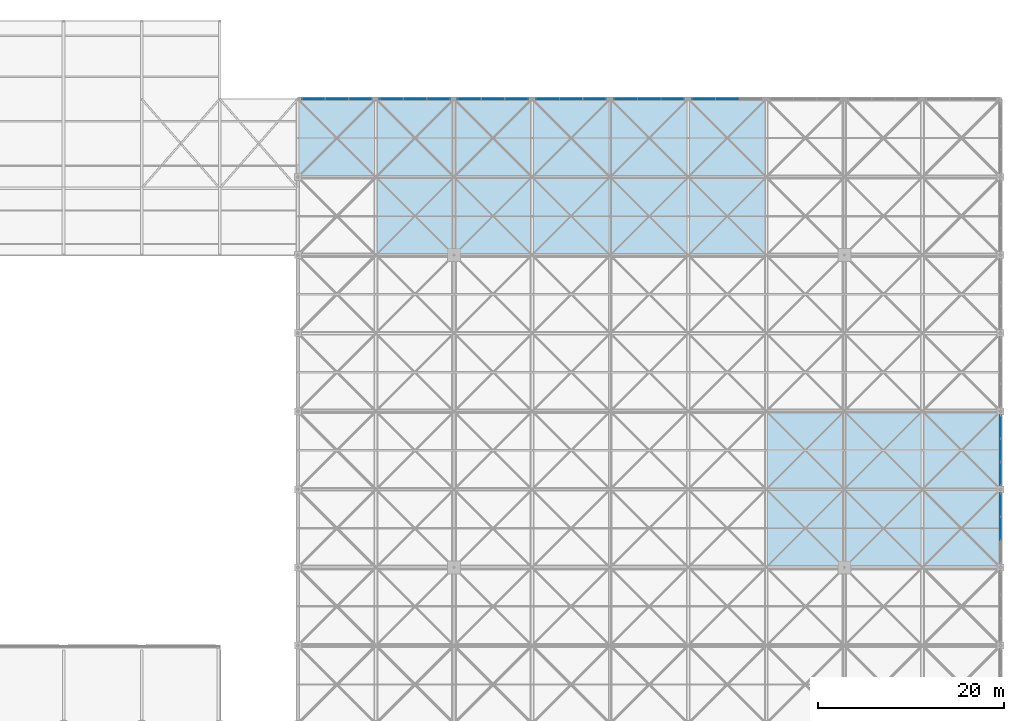
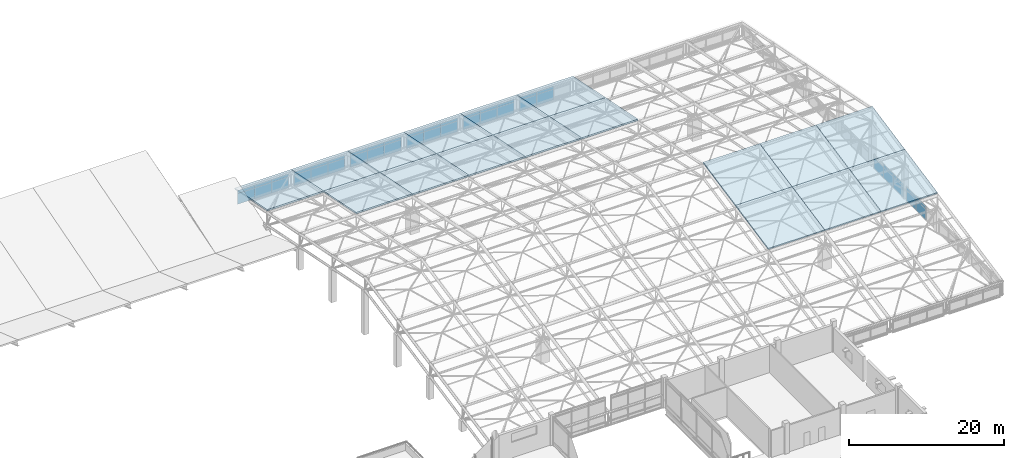
# One storey, part 80 of 110: 43 plates, 17 slabs, 8 elements without a shape of their own.
"""IFC4 building model written with IfcOpenShell, lengths in metres."""

from ifc_helpers import new_model, si_unit, direction, frame, frame_2d, origin, place, context, subcontext, project, spatial, polyline, rectangle, outline, extrude, material, layer, layer_set, type_object, element, aggregate, save


model = new_model("IFC4")

# Units and contexts
model_context = context("Model", 3, precision=1e-05, world=origin(), true_north=direction((0.0, 1.0)))
body_context = subcontext(model_context, "Body", "Model", "MODEL_VIEW")
ifc_project = project(units=[si_unit("LENGTHUNIT", "METRE"), si_unit("AREAUNIT", "SQUARE_METRE"), si_unit("VOLUMEUNIT", "CUBIC_METRE"), si_unit("PLANEANGLEUNIT", "RADIAN"), si_unit("MASSUNIT", "GRAM", prefix="KILO")], contexts=[model_context])

# Site, building, storey
site_placement = place(None, origin())
site = spatial("IfcSite", under=ifc_project, at=site_placement, CompositionType="ELEMENT")
building_placement = place(site_placement, origin())
building = spatial("IfcBuilding", under=site, at=building_placement, Name="Qawsi Khor Wholesale Market", CompositionType="ELEMENT")
storey_placement = place(building_placement, frame((0.0, 0.0, 11.39990234375)))
storey = spatial("IfcBuildingStorey", under=building, at=storey_placement, Name="L02", CompositionType="ELEMENT", Elevation=11.39990234375)

# Slabs
ifc_material_1 = material(Name="Concrete C40/50", Category="concrete")
ifc_layer_1 = layer(ifc_material_1, 0.2099609375, Name="Concrete C40/50")
ifc_layer_set_1 = layer_set([ifc_layer_1], Name="Concrete C40/50")
slab_type = type_object("IfcSlabType", Name="Sloped Insulated Roof Deck 210", PredefinedType="ROOF", material=ifc_layer_set_1)
slab_1_placement = place(storey_placement, frame((142.800048828125, 100.800048828125, 4.150146484375), z_axis=(0.0, 0.1983562496, 0.980129990483), x_axis=(1.0, 0.0, 0.0)))
element("IfcSlab", 1, at=slab_1_placement, inside=storey, type_object=slab_type, Name="Space frame roof deck EH (17,12)", PredefinedType="ROOF", context=body_context, shape_type="SweptSolid", body=[
    extrude(outline(polyline([(0.0, 0.0), (8.39990234375, 0.0), (8.39990234375, 8.570192143195854), (0.0, 8.570192143195854), (0.0, 0.0)])), origin(), (0.0, 0.0, -1.0), 0.2099609375),
])
slab_2_placement = place(storey_placement, frame((151.199951171875, 92.39990234375, 5.85009765625), z_axis=(0.0, 0.198350711418, 0.98013111127), x_axis=(1.0, 0.0, 0.0)))
element("IfcSlab", 2, at=slab_2_placement, inside=storey, type_object=slab_type, Name="Space frame roof deck EH (18,11)", PredefinedType="ROOF", context=body_context, shape_type="SweptSolid", body=[
    extrude(outline(polyline([(0.0, 0.0), (8.400146484375, 0.0), (8.400146484375, 8.570431432881128), (0.0, 8.570431432881128), (0.0, 0.0)])), origin(), (0.0, 0.0, -1.0), 0.2099609375),
])
slab_3_placement = place(storey_placement, frame((151.199951171875, 100.800048828125, 4.150146484375), z_axis=(0.0, 0.1983562496, 0.980129990483), x_axis=(1.0, 0.0, 0.0)))
element("IfcSlab", 3, at=slab_3_placement, inside=storey, type_object=slab_type, Name="Space frame roof deck EH (18,12)", PredefinedType="ROOF", context=body_context, shape_type="SweptSolid", body=[
    extrude(outline(polyline([(0.0, 0.0), (8.400146484375, 0.0), (8.400146484375, 8.570192143195856), (0.0, 8.570192143195856), (0.0, 0.0)])), origin(), (0.0, 0.0, -1.0), 0.2099609375),
])
slab_4_placement = place(storey_placement, frame((159.60009765625, 92.39990234375, 5.85009765625), z_axis=(0.0, 0.198350711418, 0.98013111127), x_axis=(1.0, 0.0, 0.0)))
element("IfcSlab", 4, at=slab_4_placement, inside=storey, type_object=slab_type, Name="Space frame roof deck EH (19,11)", PredefinedType="ROOF", context=body_context, shape_type="SweptSolid", body=[
    extrude(outline(polyline([(0.0, 0.0), (8.39990234375, 0.0), (8.39990234375, 8.570431432881128), (0.0, 8.570431432881128), (0.0, 0.0)])), origin(), (0.0, 0.0, -1.0), 0.2099609375),
])
slab_5_placement = place(storey_placement, frame((159.60009765625, 100.800048828125, 4.150146484375), z_axis=(0.0, 0.1983562496, 0.980129990483), x_axis=(1.0, 0.0, 0.0)))
element("IfcSlab", 5, at=slab_5_placement, inside=storey, type_object=slab_type, Name="Space frame roof deck EH (19,12)", PredefinedType="ROOF", context=body_context, shape_type="SweptSolid", body=[
    extrude(outline(polyline([(0.0, 0.0), (8.39990234375, 0.0), (8.39990234375, 8.570192143195854), (0.0, 8.570192143195854), (0.0, 0.0)])), origin(), (0.0, 0.0, -1.0), 0.2099609375),
])
slab_6_placement = place(storey_placement, frame((168.0, 92.39990234375, 5.85009765625), z_axis=(0.0, 0.198350711418, 0.98013111127), x_axis=(1.0, 0.0, 0.0)))
element("IfcSlab", 6, at=slab_6_placement, inside=storey, type_object=slab_type, Name="Space frame roof deck EH (20,11)", PredefinedType="ROOF", context=body_context, shape_type="SweptSolid", body=[
    extrude(outline(polyline([(0.0, 0.0), (8.39990234375, 0.0), (8.39990234375, 8.570431432881128), (0.0, 8.570431432881128), (0.0, 0.0)])), origin(), (0.0, 0.0, -1.0), 0.2099609375),
])
slab_7_placement = place(storey_placement, frame((168.0, 100.800048828125, 4.150146484375), z_axis=(0.0, 0.1983562496, 0.980129990483), x_axis=(1.0, 0.0, 0.0)))
element("IfcSlab", 7, at=slab_7_placement, inside=storey, type_object=slab_type, Name="Space frame roof deck EH (20,12)", PredefinedType="ROOF", context=body_context, shape_type="SweptSolid", body=[
    extrude(outline(polyline([(0.0, 0.0), (8.39990234375, 0.0), (8.39990234375, 8.570192143195854), (0.0, 8.570192143195854), (0.0, 0.0)])), origin(), (0.0, 0.0, -1.0), 0.2099609375),
])
slab_8_placement = place(storey_placement, frame((176.39990234375, 92.39990234375, 5.85009765625), z_axis=(0.0, 0.198350711418, 0.98013111127), x_axis=(1.0, 0.0, 0.0)))
element("IfcSlab", 8, at=slab_8_placement, inside=storey, type_object=slab_type, Name="Space frame roof deck EH (21,11)", PredefinedType="ROOF", context=body_context, shape_type="SweptSolid", body=[
    extrude(outline(polyline([(0.0, 0.0), (8.400146484375, 0.0), (8.400146484375, 8.570431432881128), (0.0, 8.570431432881128), (0.0, 0.0)])), origin(), (0.0, 0.0, -1.0), 0.2099609375),
])
slab_9_placement = place(storey_placement, frame((176.39990234375, 100.800048828125, 4.150146484375), z_axis=(0.0, 0.1983562496, 0.980129990483), x_axis=(1.0, 0.0, 0.0)))
element("IfcSlab", 9, at=slab_9_placement, inside=storey, type_object=slab_type, Name="Space frame roof deck EH (21,12)", PredefinedType="ROOF", context=body_context, shape_type="SweptSolid", body=[
    extrude(outline(polyline([(0.0, 0.0), (8.400146484375, 0.0), (8.400146484375, 8.570192143195856), (0.0, 8.570192143195856), (0.0, 0.0)])), origin(), (0.0, 0.0, -1.0), 0.2099609375),
])
slab_10_placement = place(storey_placement, frame((184.800048828125, 92.39990234375, 5.85009765625), z_axis=(0.0, 0.198350711418, 0.98013111127), x_axis=(1.0, 0.0, 0.0)))
element("IfcSlab", 10, at=slab_10_placement, inside=storey, type_object=slab_type, Name="Space frame roof deck EH (22,11)", PredefinedType="ROOF", context=body_context, shape_type="SweptSolid", body=[
    extrude(outline(polyline([(0.0, 0.0), (8.39990234375, 0.0), (8.39990234375, 8.570431432881128), (0.0, 8.570431432881128), (0.0, 0.0)])), origin(), (0.0, 0.0, -1.0), 0.2099609375),
])
slab_11_placement = place(storey_placement, frame((184.800048828125, 100.800048828125, 4.150146484375), z_axis=(0.0, 0.1983562496, 0.980129990483), x_axis=(1.0, 0.0, 0.0)))
element("IfcSlab", 11, at=slab_11_placement, inside=storey, type_object=slab_type, Name="Space frame roof deck EH (22,12)", PredefinedType="ROOF", context=body_context, shape_type="SweptSolid", body=[
    extrude(outline(polyline([(0.0, 0.0), (8.39990234375, 0.0), (8.39990234375, 8.570192143195854), (0.0, 8.570192143195854), (0.0, 0.0)])), origin(), (0.0, 0.0, -1.0), 0.2099609375),
])
slab_12_placement = place(storey_placement, frame((193.199951171875, 58.800048828125, 5.85009765625), z_axis=(0.0, -0.1983562496, 0.980129990483), x_axis=(1.0, 0.0, 0.0)))
element("IfcSlab", 12, at=slab_12_placement, inside=storey, type_object=slab_type, Name="Space frame roof deck EH (23,7)", PredefinedType="ROOF", context=body_context, shape_type="SweptSolid", body=[
    extrude(outline(polyline([(0.0, 0.0), (8.400146484375, 0.0), (8.400146484375, 8.570192143195856), (0.0, 8.570192143195856), (0.0, 0.0)])), origin(), (0.0, 0.0, -1.0), 0.2099609375),
])
slab_13_placement = place(storey_placement, frame((193.199951171875, 67.199951171875, 7.550048828125), z_axis=(0.0, -0.198350711418, 0.98013111127), x_axis=(1.0, 0.0, 0.0)))
element("IfcSlab", 13, at=slab_13_placement, inside=storey, type_object=slab_type, Name="Space frame roof deck EH (23,8)", PredefinedType="ROOF", context=body_context, shape_type="SweptSolid", body=[
    extrude(outline(polyline([(0.0, 0.0), (8.400146484375, 0.0), (8.400146484375, 8.570431432881128), (0.0, 8.570431432881128), (0.0, 0.0)])), origin(), (0.0, 0.0, -1.0), 0.2099609375),
])
slab_14_placement = place(storey_placement, frame((201.60009765625, 58.800048828125, 5.85009765625), z_axis=(0.0, -0.1983562496, 0.980129990483), x_axis=(1.0, 0.0, 0.0)))
element("IfcSlab", 14, at=slab_14_placement, inside=storey, type_object=slab_type, Name="Space frame roof deck EH (24,7)", PredefinedType="ROOF", context=body_context, shape_type="SweptSolid", body=[
    extrude(outline(polyline([(0.0, 0.0), (8.39990234375, 0.0), (8.39990234375, 8.570192143195854), (0.0, 8.570192143195854), (0.0, 0.0)])), origin(), (0.0, 0.0, -1.0), 0.2099609375),
])
slab_15_placement = place(storey_placement, frame((201.60009765625, 67.199951171875, 7.550048828125), z_axis=(0.0, -0.198350711418, 0.98013111127), x_axis=(1.0, 0.0, 0.0)))
element("IfcSlab", 15, at=slab_15_placement, inside=storey, type_object=slab_type, Name="Space frame roof deck EH (24,8)", PredefinedType="ROOF", context=body_context, shape_type="SweptSolid", body=[
    extrude(outline(polyline([(0.0, 0.0), (8.39990234375, 0.0), (8.39990234375, 8.570431432881128), (0.0, 8.570431432881128), (0.0, 0.0)])), origin(), (0.0, 0.0, -1.0), 0.2099609375),
])
slab_16_placement = place(storey_placement, frame((210.0, 58.800048828125, 5.85009765625), z_axis=(0.0, -0.1983562496, 0.980129990483), x_axis=(1.0, 0.0, 0.0)))
element("IfcSlab", 16, at=slab_16_placement, inside=storey, type_object=slab_type, Name="Space frame roof deck EH (25,7)", PredefinedType="ROOF", context=body_context, shape_type="SweptSolid", body=[
    extrude(outline(polyline([(0.0, 0.0), (8.39990234375, 0.0), (8.39990234375, 8.570192143195854), (0.0, 8.570192143195854), (0.0, 0.0)])), origin(), (0.0, 0.0, -1.0), 0.2099609375),
])
slab_17_placement = place(storey_placement, frame((210.0, 67.199951171875, 7.550048828125), z_axis=(0.0, -0.198350711418, 0.98013111127), x_axis=(1.0, 0.0, 0.0)))
element("IfcSlab", 17, at=slab_17_placement, inside=storey, type_object=slab_type, Name="Space frame roof deck EH (25,8)", PredefinedType="ROOF", context=body_context, shape_type="SweptSolid", body=[
    extrude(outline(polyline([(0.0, 0.0), (8.39990234375, 0.0), (8.39990234375, 8.570431432881128), (0.0, 8.570431432881128), (0.0, 0.0)])), origin(), (0.0, 0.0, -1.0), 0.2099609375),
])

# Curtain wall, plates
ifc_material_2 = material(Name="Aluminium Anodised Bronze", Category="aluminium")
ifc_layer_2 = layer(ifc_material_2, 0.199951171875, Name="Aluminium Anodised Bronze")
ifc_layer_set_2 = layer_set([ifc_layer_2], Name="Aluminium Anodised Bronze")
curtain_wall_type = type_object("IfcCurtainWallType", Name="Trading Hall North-Light Curtain Wall CW-03", PredefinedType="NOTDEFINED", material=ifc_layer_set_2)
curtain_wall_1_placement = place(storey_placement, origin())
curtain_wall_1 = element("IfcCurtainWall", 18, at=curtain_wall_1_placement, inside=storey, type_object=curtain_wall_type, Name="Curtain wall CW-CW-03-L02-134", PredefinedType="NOTDEFINED")
ifc_material_3 = material(Name="Tempered Low-E Solar Glass", Category="glass")
ifc_layer_3 = layer(ifc_material_3, 0.0419921875, Name="Tempered Low-E Solar Glass")
ifc_layer_set_3 = layer_set([ifc_layer_3], Name="Tempered Low-E Solar Glass")
plate_type = type_object("IfcPlateType", Name="Solar Double-Glazed Unit CW-03 42mm", PredefinedType="CURTAIN_PANEL", material=ifc_layer_set_3)
plate_1_placement = place(storey_placement, frame((218.39990234375, 61.74072265625, -0.264892578125), z_axis=(0.0, 0.0, 1.0), x_axis=(0.0, 1.0, 0.0)))
plate_1 = element("IfcPlate", 19, at=plate_1_placement, type_object=plate_type, Name="Curtain panel CW-CW-03-L02-134-P0_01", PredefinedType="CURTAIN_PANEL", context=body_context, shape_type="SweptSolid", body=[
    extrude(rectangle(XDim=2.5185546875, YDim=0.0419921875, at=frame_2d((1.25927734375, 0.0))), origin(), (0.0, 0.0, 1.0), 1.7099609375),
])
plate_2_placement = place(storey_placement, frame((218.39990234375, 64.25927734375, -0.264892578125), z_axis=(0.0, 0.0, 1.0), x_axis=(0.0, 1.0, 0.0)))
plate_2 = element("IfcPlate", 20, at=plate_2_placement, type_object=plate_type, Name="Curtain panel CW-CW-03-L02-134-P0_02", PredefinedType="CURTAIN_PANEL", context=body_context, shape_type="SweptSolid", body=[
    extrude(rectangle(XDim=2.518310546875, YDim=0.0419921875, at=frame_2d((1.25927734375, 0.0))), origin(), (0.0, 0.0, 1.0), 1.7099609375),
])
plate_3_placement = place(storey_placement, frame((218.39990234375, 61.74072265625, 1.455078125), z_axis=(0.0, 0.0, 1.0), x_axis=(0.0, 1.0, 0.0)))
plate_3 = element("IfcPlate", 21, at=plate_3_placement, type_object=plate_type, Name="Curtain panel CW-CW-03-L02-134-P1_01", PredefinedType="CURTAIN_PANEL", context=body_context, shape_type="SweptSolid", body=[
    extrude(rectangle(XDim=2.5185546875, YDim=0.0419921875, at=frame_2d((1.25927734375, 0.0))), origin(), (0.0, 0.0, 1.0), 0.43994140625),
])
plate_4_placement = place(storey_placement, frame((218.39990234375, 64.25927734375, 1.455078125), z_axis=(0.0, 0.0, 1.0), x_axis=(0.0, 1.0, 0.0)))
plate_4 = element("IfcPlate", 22, at=plate_4_placement, type_object=plate_type, Name="Curtain panel CW-CW-03-L02-134-P1_02", PredefinedType="CURTAIN_PANEL", context=body_context, shape_type="SweptSolid", body=[
    extrude(rectangle(XDim=2.518310546875, YDim=0.0419921875, at=frame_2d((1.25927734375, 0.0))), origin(), (0.0, 0.0, 1.0), 0.43994140625),
])
aggregate(curtain_wall_1, [plate_1, plate_2, plate_3, plate_4])

curtain_wall_2_placement = place(storey_placement, origin())
curtain_wall_2 = element("IfcCurtainWall", 23, at=curtain_wall_2_placement, inside=storey, type_object=curtain_wall_type, Name="Curtain wall CW-CW-03-L02-136", PredefinedType="NOTDEFINED")
plate_5_placement = place(storey_placement, frame((218.39990234375, 67.62255859375, -0.264892578125), z_axis=(0.0, 0.0, 1.0), x_axis=(0.0, 1.0, 0.0)))
plate_5 = element("IfcPlate", 24, at=plate_5_placement, type_object=plate_type, Name="Curtain panel CW-CW-03-L02-136-P0_00", PredefinedType="CURTAIN_PANEL", context=body_context, shape_type="SweptSolid", body=[
    extrude(rectangle(XDim=2.518310546875, YDim=0.0419921875, at=frame_2d((1.25927734375, 0.0))), origin(), (0.0, 0.0, 1.0), 1.7099609375),
])
plate_6_placement = place(storey_placement, frame((218.39990234375, 70.140869140625, -0.264892578125), z_axis=(0.0, 0.0, 1.0), x_axis=(0.0, 1.0, 0.0)))
plate_6 = element("IfcPlate", 25, at=plate_6_placement, type_object=plate_type, Name="Curtain panel CW-CW-03-L02-136-P0_01", PredefinedType="CURTAIN_PANEL", context=body_context, shape_type="SweptSolid", body=[
    extrude(rectangle(XDim=2.518310546875, YDim=0.0419921875, at=frame_2d((1.25927734375, 0.0))), origin(), (0.0, 0.0, 1.0), 1.7099609375),
])
plate_7_placement = place(storey_placement, frame((218.39990234375, 72.6591796875, -0.264892578125), z_axis=(0.0, 0.0, 1.0), x_axis=(0.0, 1.0, 0.0)))
plate_7 = element("IfcPlate", 26, at=plate_7_placement, type_object=plate_type, Name="Curtain panel CW-CW-03-L02-136-P0_02", PredefinedType="CURTAIN_PANEL", context=body_context, shape_type="SweptSolid", body=[
    extrude(rectangle(XDim=2.518310546875, YDim=0.0419921875, at=frame_2d((1.25927734375, 0.0))), origin(), (0.0, 0.0, 1.0), 1.7099609375),
])
plate_8_placement = place(storey_placement, frame((218.39990234375, 67.62255859375, 1.455078125), z_axis=(0.0, 0.0, 1.0), x_axis=(0.0, 1.0, 0.0)))
plate_8 = element("IfcPlate", 27, at=plate_8_placement, type_object=plate_type, Name="Curtain panel CW-CW-03-L02-136-P1_00", PredefinedType="CURTAIN_PANEL", context=body_context, shape_type="SweptSolid", body=[
    extrude(rectangle(XDim=2.518310546875, YDim=0.0419921875, at=frame_2d((1.25927734375, 0.0))), origin(), (0.0, 0.0, 1.0), 0.43994140625),
])
plate_9_placement = place(storey_placement, frame((218.39990234375, 70.140869140625, 1.455078125), z_axis=(0.0, 0.0, 1.0), x_axis=(0.0, 1.0, 0.0)))
plate_9 = element("IfcPlate", 28, at=plate_9_placement, type_object=plate_type, Name="Curtain panel CW-CW-03-L02-136-P1_01", PredefinedType="CURTAIN_PANEL", context=body_context, shape_type="SweptSolid", body=[
    extrude(rectangle(XDim=2.518310546875, YDim=0.0419921875, at=frame_2d((1.25927734375, 0.0))), origin(), (0.0, 0.0, 1.0), 0.43994140625),
])
aggregate(curtain_wall_2, [plate_5, plate_6, plate_7, plate_8, plate_9])

curtain_wall_3_placement = place(storey_placement, origin())
curtain_wall_3 = element("IfcCurtainWall", 29, at=curtain_wall_3_placement, inside=storey, type_object=curtain_wall_type, Name="Curtain wall CW-CW-03-L02-145", PredefinedType="NOTDEFINED")
plate_10_placement = place(storey_placement, frame((143.24755859375, 109.199951171875, -0.264892578125), z_axis=(0.0, 0.0, 1.0), x_axis=(1.0, 0.0, 0.0)))
plate_10 = element("IfcPlate", 30, at=plate_10_placement, type_object=plate_type, Name="Curtain panel CW-CW-03-L02-145-P0_00", PredefinedType="CURTAIN_PANEL", context=body_context, shape_type="SweptSolid", body=[
    extrude(rectangle(XDim=2.510009765625, YDim=0.0419921875, at=frame_2d((1.2548828125, 0.0))), origin(), (0.0, 0.0, 1.0), 1.7099609375),
])
plate_11_placement = place(storey_placement, frame((145.757568359375, 109.199951171875, -0.264892578125), z_axis=(0.0, 0.0, 1.0), x_axis=(1.0, 0.0, 0.0)))
plate_11 = element("IfcPlate", 31, at=plate_11_placement, type_object=plate_type, Name="Curtain panel CW-CW-03-L02-145-P0_01", PredefinedType="CURTAIN_PANEL", context=body_context, shape_type="SweptSolid", body=[
    extrude(rectangle(XDim=2.510009765625, YDim=0.0419921875, at=frame_2d((1.2548828125, 0.0))), origin(), (0.0, 0.0, 1.0), 1.7099609375),
])
plate_12_placement = place(storey_placement, frame((148.267578125, 109.199951171875, -0.264892578125), z_axis=(0.0, 0.0, 1.0), x_axis=(1.0, 0.0, 0.0)))
plate_12 = element("IfcPlate", 32, at=plate_12_placement, type_object=plate_type, Name="Curtain panel CW-CW-03-L02-145-P0_02", PredefinedType="CURTAIN_PANEL", context=body_context, shape_type="SweptSolid", body=[
    extrude(rectangle(XDim=2.510009765625, YDim=0.0419921875, at=frame_2d((1.2548828125, 0.0))), origin(), (0.0, 0.0, 1.0), 1.7099609375),
])
plate_13_placement = place(storey_placement, frame((143.24755859375, 109.199951171875, 1.455078125), z_axis=(0.0, 0.0, 1.0), x_axis=(1.0, 0.0, 0.0)))
plate_13 = element("IfcPlate", 33, at=plate_13_placement, type_object=plate_type, Name="Curtain panel CW-CW-03-L02-145-P1_00", PredefinedType="CURTAIN_PANEL", context=body_context, shape_type="SweptSolid", body=[
    extrude(rectangle(XDim=2.510009765625, YDim=0.0419921875, at=frame_2d((1.2548828125, 0.0))), origin(), (0.0, 0.0, 1.0), 0.43994140625),
])
plate_14_placement = place(storey_placement, frame((145.757568359375, 109.199951171875, 1.455078125), z_axis=(0.0, 0.0, 1.0), x_axis=(1.0, 0.0, 0.0)))
plate_14 = element("IfcPlate", 34, at=plate_14_placement, type_object=plate_type, Name="Curtain panel CW-CW-03-L02-145-P1_01", PredefinedType="CURTAIN_PANEL", context=body_context, shape_type="SweptSolid", body=[
    extrude(rectangle(XDim=2.510009765625, YDim=0.0419921875, at=frame_2d((1.2548828125, 0.0))), origin(), (0.0, 0.0, 1.0), 0.43994140625),
])
plate_15_placement = place(storey_placement, frame((148.267578125, 109.199951171875, 1.455078125), z_axis=(0.0, 0.0, 1.0), x_axis=(1.0, 0.0, 0.0)))
plate_15 = element("IfcPlate", 35, at=plate_15_placement, type_object=plate_type, Name="Curtain panel CW-CW-03-L02-145-P1_02", PredefinedType="CURTAIN_PANEL", context=body_context, shape_type="SweptSolid", body=[
    extrude(rectangle(XDim=2.510009765625, YDim=0.0419921875, at=frame_2d((1.2548828125, 0.0))), origin(), (0.0, 0.0, 1.0), 0.43994140625),
])
aggregate(curtain_wall_3, [plate_10, plate_11, plate_12, plate_13, plate_14, plate_15])

curtain_wall_4_placement = place(storey_placement, origin())
curtain_wall_4 = element("IfcCurtainWall", 36, at=curtain_wall_4_placement, inside=storey, type_object=curtain_wall_type, Name="Curtain wall CW-CW-03-L02-146", PredefinedType="NOTDEFINED")
plate_16_placement = place(storey_placement, frame((151.62255859375, 109.199951171875, -0.264892578125), z_axis=(0.0, 0.0, 1.0), x_axis=(1.0, 0.0, 0.0)))
plate_16 = element("IfcPlate", 37, at=plate_16_placement, type_object=plate_type, Name="Curtain panel CW-CW-03-L02-146-P0_00", PredefinedType="CURTAIN_PANEL", context=body_context, shape_type="SweptSolid", body=[
    extrude(rectangle(XDim=2.518310546875, YDim=0.0419921875, at=frame_2d((1.25927734375, 0.0))), origin(), (0.0, 0.0, 1.0), 1.7099609375),
])
plate_17_placement = place(storey_placement, frame((154.140869140625, 109.199951171875, -0.264892578125), z_axis=(0.0, 0.0, 1.0), x_axis=(1.0, 0.0, 0.0)))
plate_17 = element("IfcPlate", 38, at=plate_17_placement, type_object=plate_type, Name="Curtain panel CW-CW-03-L02-146-P0_01", PredefinedType="CURTAIN_PANEL", context=body_context, shape_type="SweptSolid", body=[
    extrude(rectangle(XDim=2.518310546875, YDim=0.0419921875, at=frame_2d((1.25927734375, 0.0))), origin(), (0.0, 0.0, 1.0), 1.7099609375),
])
plate_18_placement = place(storey_placement, frame((156.6591796875, 109.199951171875, -0.264892578125), z_axis=(0.0, 0.0, 1.0), x_axis=(1.0, 0.0, 0.0)))
plate_18 = element("IfcPlate", 39, at=plate_18_placement, type_object=plate_type, Name="Curtain panel CW-CW-03-L02-146-P0_02", PredefinedType="CURTAIN_PANEL", context=body_context, shape_type="SweptSolid", body=[
    extrude(rectangle(XDim=2.518310546875, YDim=0.0419921875, at=frame_2d((1.25927734375, 0.0))), origin(), (0.0, 0.0, 1.0), 1.7099609375),
])
plate_19_placement = place(storey_placement, frame((151.62255859375, 109.199951171875, 1.455078125), z_axis=(0.0, 0.0, 1.0), x_axis=(1.0, 0.0, 0.0)))
plate_19 = element("IfcPlate", 40, at=plate_19_placement, type_object=plate_type, Name="Curtain panel CW-CW-03-L02-146-P1_00", PredefinedType="CURTAIN_PANEL", context=body_context, shape_type="SweptSolid", body=[
    extrude(rectangle(XDim=2.518310546875, YDim=0.0419921875, at=frame_2d((1.25927734375, 0.0))), origin(), (0.0, 0.0, 1.0), 0.43994140625),
])
plate_20_placement = place(storey_placement, frame((154.140869140625, 109.199951171875, 1.455078125), z_axis=(0.0, 0.0, 1.0), x_axis=(1.0, 0.0, 0.0)))
plate_20 = element("IfcPlate", 41, at=plate_20_placement, type_object=plate_type, Name="Curtain panel CW-CW-03-L02-146-P1_01", PredefinedType="CURTAIN_PANEL", context=body_context, shape_type="SweptSolid", body=[
    extrude(rectangle(XDim=2.518310546875, YDim=0.0419921875, at=frame_2d((1.25927734375, 0.0))), origin(), (0.0, 0.0, 1.0), 0.43994140625),
])
plate_21_placement = place(storey_placement, frame((156.6591796875, 109.199951171875, 1.455078125), z_axis=(0.0, 0.0, 1.0), x_axis=(1.0, 0.0, 0.0)))
plate_21 = element("IfcPlate", 42, at=plate_21_placement, type_object=plate_type, Name="Curtain panel CW-CW-03-L02-146-P1_02", PredefinedType="CURTAIN_PANEL", context=body_context, shape_type="SweptSolid", body=[
    extrude(rectangle(XDim=2.518310546875, YDim=0.0419921875, at=frame_2d((1.25927734375, 0.0))), origin(), (0.0, 0.0, 1.0), 0.43994140625),
])
aggregate(curtain_wall_4, [plate_16, plate_17, plate_18, plate_19, plate_20, plate_21])

curtain_wall_5_placement = place(storey_placement, origin())
curtain_wall_5 = element("IfcCurtainWall", 43, at=curtain_wall_5_placement, inside=storey, type_object=curtain_wall_type, Name="Curtain wall CW-CW-03-L02-147", PredefinedType="NOTDEFINED")
plate_22_placement = place(storey_placement, frame((160.0224609375, 109.199951171875, -0.264892578125), z_axis=(0.0, 0.0, 1.0), x_axis=(1.0, 0.0, 0.0)))
plate_22 = element("IfcPlate", 44, at=plate_22_placement, type_object=plate_type, Name="Curtain panel CW-CW-03-L02-147-P0_00", PredefinedType="CURTAIN_PANEL", context=body_context, shape_type="SweptSolid", body=[
    extrude(rectangle(XDim=2.518310546875, YDim=0.0419921875, at=frame_2d((1.25927734375, 0.0))), origin(), (0.0, 0.0, 1.0), 1.7099609375),
])
plate_23_placement = place(storey_placement, frame((162.540771484375, 109.199951171875, -0.264892578125), z_axis=(0.0, 0.0, 1.0), x_axis=(1.0, 0.0, 0.0)))
plate_23 = element("IfcPlate", 45, at=plate_23_placement, type_object=plate_type, Name="Curtain panel CW-CW-03-L02-147-P0_01", PredefinedType="CURTAIN_PANEL", context=body_context, shape_type="SweptSolid", body=[
    extrude(rectangle(XDim=2.518310546875, YDim=0.0419921875, at=frame_2d((1.25927734375, 0.0))), origin(), (0.0, 0.0, 1.0), 1.7099609375),
])
plate_24_placement = place(storey_placement, frame((165.05908203125, 109.199951171875, -0.264892578125), z_axis=(0.0, 0.0, 1.0), x_axis=(1.0, 0.0, 0.0)))
plate_24 = element("IfcPlate", 46, at=plate_24_placement, type_object=plate_type, Name="Curtain panel CW-CW-03-L02-147-P0_02", PredefinedType="CURTAIN_PANEL", context=body_context, shape_type="SweptSolid", body=[
    extrude(rectangle(XDim=2.518310546875, YDim=0.0419921875, at=frame_2d((1.25927734375, 0.0))), origin(), (0.0, 0.0, 1.0), 1.7099609375),
])
plate_25_placement = place(storey_placement, frame((160.0224609375, 109.199951171875, 1.455078125), z_axis=(0.0, 0.0, 1.0), x_axis=(1.0, 0.0, 0.0)))
plate_25 = element("IfcPlate", 47, at=plate_25_placement, type_object=plate_type, Name="Curtain panel CW-CW-03-L02-147-P1_00", PredefinedType="CURTAIN_PANEL", context=body_context, shape_type="SweptSolid", body=[
    extrude(rectangle(XDim=2.518310546875, YDim=0.0419921875, at=frame_2d((1.25927734375, 0.0))), origin(), (0.0, 0.0, 1.0), 0.43994140625),
])
plate_26_placement = place(storey_placement, frame((162.540771484375, 109.199951171875, 1.455078125), z_axis=(0.0, 0.0, 1.0), x_axis=(1.0, 0.0, 0.0)))
plate_26 = element("IfcPlate", 48, at=plate_26_placement, type_object=plate_type, Name="Curtain panel CW-CW-03-L02-147-P1_01", PredefinedType="CURTAIN_PANEL", context=body_context, shape_type="SweptSolid", body=[
    extrude(rectangle(XDim=2.518310546875, YDim=0.0419921875, at=frame_2d((1.25927734375, 0.0))), origin(), (0.0, 0.0, 1.0), 0.43994140625),
])
plate_27_placement = place(storey_placement, frame((165.05908203125, 109.199951171875, 1.455078125), z_axis=(0.0, 0.0, 1.0), x_axis=(1.0, 0.0, 0.0)))
plate_27 = element("IfcPlate", 49, at=plate_27_placement, type_object=plate_type, Name="Curtain panel CW-CW-03-L02-147-P1_02", PredefinedType="CURTAIN_PANEL", context=body_context, shape_type="SweptSolid", body=[
    extrude(rectangle(XDim=2.518310546875, YDim=0.0419921875, at=frame_2d((1.25927734375, 0.0))), origin(), (0.0, 0.0, 1.0), 0.43994140625),
])
aggregate(curtain_wall_5, [plate_22, plate_23, plate_24, plate_25, plate_26, plate_27])

curtain_wall_6_placement = place(storey_placement, origin())
curtain_wall_6 = element("IfcCurtainWall", 50, at=curtain_wall_6_placement, inside=storey, type_object=curtain_wall_type, Name="Curtain wall CW-CW-03-L02-148", PredefinedType="NOTDEFINED")
plate_28_placement = place(storey_placement, frame((168.422607421875, 109.199951171875, -0.264892578125), z_axis=(0.0, 0.0, 1.0), x_axis=(1.0, 0.0, 0.0)))
plate_28 = element("IfcPlate", 51, at=plate_28_placement, type_object=plate_type, Name="Curtain panel CW-CW-03-L02-148-P0_00", PredefinedType="CURTAIN_PANEL", context=body_context, shape_type="SweptSolid", body=[
    extrude(rectangle(XDim=2.518310546875, YDim=0.0419921875, at=frame_2d((1.25927734375, 0.0))), origin(), (0.0, 0.0, 1.0), 1.7099609375),
])
plate_29_placement = place(storey_placement, frame((170.94091796875, 109.199951171875, -0.264892578125), z_axis=(0.0, 0.0, 1.0), x_axis=(1.0, 0.0, 0.0)))
plate_29 = element("IfcPlate", 52, at=plate_29_placement, type_object=plate_type, Name="Curtain panel CW-CW-03-L02-148-P0_01", PredefinedType="CURTAIN_PANEL", context=body_context, shape_type="SweptSolid", body=[
    extrude(rectangle(XDim=2.518310546875, YDim=0.0419921875, at=frame_2d((1.25927734375, 0.0))), origin(), (0.0, 0.0, 1.0), 1.7099609375),
])
plate_30_placement = place(storey_placement, frame((173.459228515625, 109.199951171875, -0.264892578125), z_axis=(0.0, 0.0, 1.0), x_axis=(1.0, 0.0, 0.0)))
plate_30 = element("IfcPlate", 53, at=plate_30_placement, type_object=plate_type, Name="Curtain panel CW-CW-03-L02-148-P0_02", PredefinedType="CURTAIN_PANEL", context=body_context, shape_type="SweptSolid", body=[
    extrude(rectangle(XDim=2.518310546875, YDim=0.0419921875, at=frame_2d((1.25927734375, 0.0))), origin(), (0.0, 0.0, 1.0), 1.7099609375),
])
plate_31_placement = place(storey_placement, frame((168.422607421875, 109.199951171875, 1.455078125), z_axis=(0.0, 0.0, 1.0), x_axis=(1.0, 0.0, 0.0)))
plate_31 = element("IfcPlate", 54, at=plate_31_placement, type_object=plate_type, Name="Curtain panel CW-CW-03-L02-148-P1_00", PredefinedType="CURTAIN_PANEL", context=body_context, shape_type="SweptSolid", body=[
    extrude(rectangle(XDim=2.518310546875, YDim=0.0419921875, at=frame_2d((1.25927734375, 0.0))), origin(), (0.0, 0.0, 1.0), 0.43994140625),
])
plate_32_placement = place(storey_placement, frame((170.94091796875, 109.199951171875, 1.455078125), z_axis=(0.0, 0.0, 1.0), x_axis=(1.0, 0.0, 0.0)))
plate_32 = element("IfcPlate", 55, at=plate_32_placement, type_object=plate_type, Name="Curtain panel CW-CW-03-L02-148-P1_01", PredefinedType="CURTAIN_PANEL", context=body_context, shape_type="SweptSolid", body=[
    extrude(rectangle(XDim=2.518310546875, YDim=0.0419921875, at=frame_2d((1.25927734375, 0.0))), origin(), (0.0, 0.0, 1.0), 0.43994140625),
])
plate_33_placement = place(storey_placement, frame((173.459228515625, 109.199951171875, 1.455078125), z_axis=(0.0, 0.0, 1.0), x_axis=(1.0, 0.0, 0.0)))
plate_33 = element("IfcPlate", 56, at=plate_33_placement, type_object=plate_type, Name="Curtain panel CW-CW-03-L02-148-P1_02", PredefinedType="CURTAIN_PANEL", context=body_context, shape_type="SweptSolid", body=[
    extrude(rectangle(XDim=2.518310546875, YDim=0.0419921875, at=frame_2d((1.25927734375, 0.0))), origin(), (0.0, 0.0, 1.0), 0.43994140625),
])
aggregate(curtain_wall_6, [plate_28, plate_29, plate_30, plate_31, plate_32, plate_33])

curtain_wall_7_placement = place(storey_placement, origin())
curtain_wall_7 = element("IfcCurtainWall", 57, at=curtain_wall_7_placement, inside=storey, type_object=curtain_wall_type, Name="Curtain wall CW-CW-03-L02-149", PredefinedType="NOTDEFINED")
plate_34_placement = place(storey_placement, frame((176.822509765625, 109.199951171875, -0.264892578125), z_axis=(0.0, 0.0, 1.0), x_axis=(1.0, 0.0, 0.0)))
plate_34 = element("IfcPlate", 58, at=plate_34_placement, type_object=plate_type, Name="Curtain panel CW-CW-03-L02-149-P0_00", PredefinedType="CURTAIN_PANEL", context=body_context, shape_type="SweptSolid", body=[
    extrude(rectangle(XDim=2.518310546875, YDim=0.0419921875, at=frame_2d((1.25927734375, 0.0))), origin(), (0.0, 0.0, 1.0), 1.7099609375),
])
plate_35_placement = place(storey_placement, frame((179.3408203125, 109.199951171875, -0.264892578125), z_axis=(0.0, 0.0, 1.0), x_axis=(1.0, 0.0, 0.0)))
plate_35 = element("IfcPlate", 59, at=plate_35_placement, type_object=plate_type, Name="Curtain panel CW-CW-03-L02-149-P0_01", PredefinedType="CURTAIN_PANEL", context=body_context, shape_type="SweptSolid", body=[
    extrude(rectangle(XDim=2.518310546875, YDim=0.0419921875, at=frame_2d((1.25927734375, 0.0))), origin(), (0.0, 0.0, 1.0), 1.7099609375),
])
plate_36_placement = place(storey_placement, frame((181.859130859375, 109.199951171875, -0.264892578125), z_axis=(0.0, 0.0, 1.0), x_axis=(1.0, 0.0, 0.0)))
plate_36 = element("IfcPlate", 60, at=plate_36_placement, type_object=plate_type, Name="Curtain panel CW-CW-03-L02-149-P0_02", PredefinedType="CURTAIN_PANEL", context=body_context, shape_type="SweptSolid", body=[
    extrude(rectangle(XDim=2.518310546875, YDim=0.0419921875, at=frame_2d((1.25927734375, 0.0))), origin(), (0.0, 0.0, 1.0), 1.7099609375),
])
plate_37_placement = place(storey_placement, frame((176.822509765625, 109.199951171875, 1.455078125), z_axis=(0.0, 0.0, 1.0), x_axis=(1.0, 0.0, 0.0)))
plate_37 = element("IfcPlate", 61, at=plate_37_placement, type_object=plate_type, Name="Curtain panel CW-CW-03-L02-149-P1_00", PredefinedType="CURTAIN_PANEL", context=body_context, shape_type="SweptSolid", body=[
    extrude(rectangle(XDim=2.518310546875, YDim=0.0419921875, at=frame_2d((1.25927734375, 0.0))), origin(), (0.0, 0.0, 1.0), 0.43994140625),
])
plate_38_placement = place(storey_placement, frame((179.3408203125, 109.199951171875, 1.455078125), z_axis=(0.0, 0.0, 1.0), x_axis=(1.0, 0.0, 0.0)))
plate_38 = element("IfcPlate", 62, at=plate_38_placement, type_object=plate_type, Name="Curtain panel CW-CW-03-L02-149-P1_01", PredefinedType="CURTAIN_PANEL", context=body_context, shape_type="SweptSolid", body=[
    extrude(rectangle(XDim=2.518310546875, YDim=0.0419921875, at=frame_2d((1.25927734375, 0.0))), origin(), (0.0, 0.0, 1.0), 0.43994140625),
])
plate_39_placement = place(storey_placement, frame((181.859130859375, 109.199951171875, 1.455078125), z_axis=(0.0, 0.0, 1.0), x_axis=(1.0, 0.0, 0.0)))
plate_39 = element("IfcPlate", 63, at=plate_39_placement, type_object=plate_type, Name="Curtain panel CW-CW-03-L02-149-P1_02", PredefinedType="CURTAIN_PANEL", context=body_context, shape_type="SweptSolid", body=[
    extrude(rectangle(XDim=2.518310546875, YDim=0.0419921875, at=frame_2d((1.25927734375, 0.0))), origin(), (0.0, 0.0, 1.0), 0.43994140625),
])
aggregate(curtain_wall_7, [plate_34, plate_35, plate_36, plate_37, plate_38, plate_39])

curtain_wall_8_placement = place(storey_placement, origin())
curtain_wall_8 = element("IfcCurtainWall", 64, at=curtain_wall_8_placement, inside=storey, type_object=curtain_wall_type, Name="Curtain wall CW-CW-03-L02-150", PredefinedType="NOTDEFINED")
plate_40_placement = place(storey_placement, frame((185.222412109375, 109.199951171875, -0.264892578125), z_axis=(0.0, 0.0, 1.0), x_axis=(1.0, 0.0, 0.0)))
plate_40 = element("IfcPlate", 65, at=plate_40_placement, type_object=plate_type, Name="Curtain panel CW-CW-03-L02-150-P0_00", PredefinedType="CURTAIN_PANEL", context=body_context, shape_type="SweptSolid", body=[
    extrude(rectangle(XDim=2.518310546875, YDim=0.0419921875, at=frame_2d((1.25927734375, 0.0))), origin(), (0.0, 0.0, 1.0), 1.7099609375),
])
plate_41_placement = place(storey_placement, frame((187.74072265625, 109.199951171875, -0.264892578125), z_axis=(0.0, 0.0, 1.0), x_axis=(1.0, 0.0, 0.0)))
plate_41 = element("IfcPlate", 66, at=plate_41_placement, type_object=plate_type, Name="Curtain panel CW-CW-03-L02-150-P0_01", PredefinedType="CURTAIN_PANEL", context=body_context, shape_type="SweptSolid", body=[
    extrude(rectangle(XDim=2.5185546875, YDim=0.0419921875, at=frame_2d((1.25927734375, 0.0))), origin(), (0.0, 0.0, 1.0), 1.7099609375),
])
plate_42_placement = place(storey_placement, frame((185.222412109375, 109.199951171875, 1.455078125), z_axis=(0.0, 0.0, 1.0), x_axis=(1.0, 0.0, 0.0)))
plate_42 = element("IfcPlate", 67, at=plate_42_placement, type_object=plate_type, Name="Curtain panel CW-CW-03-L02-150-P1_00", PredefinedType="CURTAIN_PANEL", context=body_context, shape_type="SweptSolid", body=[
    extrude(rectangle(XDim=2.518310546875, YDim=0.0419921875, at=frame_2d((1.25927734375, 0.0))), origin(), (0.0, 0.0, 1.0), 0.43994140625),
])
plate_43_placement = place(storey_placement, frame((187.74072265625, 109.199951171875, 1.455078125), z_axis=(0.0, 0.0, 1.0), x_axis=(1.0, 0.0, 0.0)))
plate_43 = element("IfcPlate", 68, at=plate_43_placement, type_object=plate_type, Name="Curtain panel CW-CW-03-L02-150-P1_01", PredefinedType="CURTAIN_PANEL", context=body_context, shape_type="SweptSolid", body=[
    extrude(rectangle(XDim=2.5185546875, YDim=0.0419921875, at=frame_2d((1.25927734375, 0.0))), origin(), (0.0, 0.0, 1.0), 0.43994140625),
])
aggregate(curtain_wall_8, [plate_40, plate_41, plate_42, plate_43])

save(model, "model.ifc")
